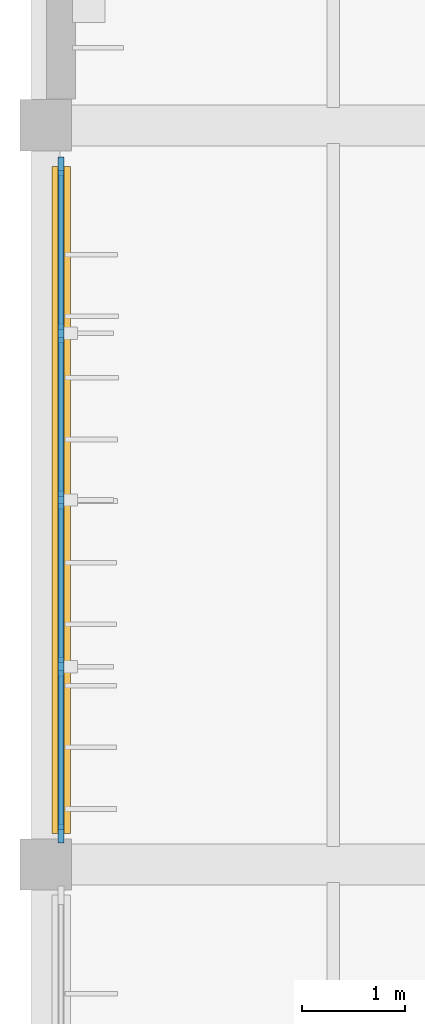
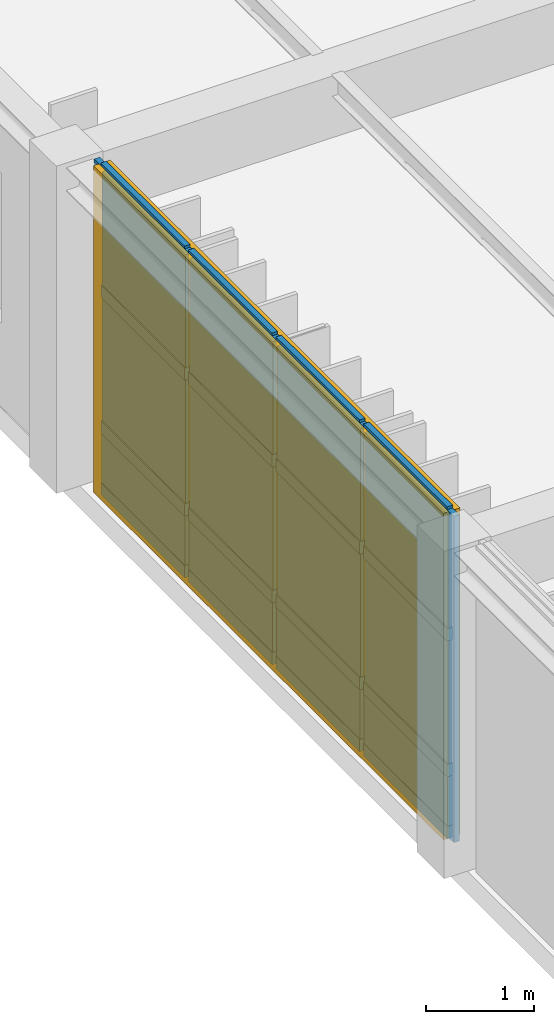
# One storey, part 30 of 44: 21 members, 12 plates, 1 curtain wall.
"""IFC4 building model written with IfcOpenShell, lengths in metres."""

from ifc_helpers import new_model, si_unit, direction, frame, frame_2d, origin, origin_2d, place, context, subcontext, project, spatial, rectangle, extrude, material, layer, layer_set, material_profile, profile_set, type_object, element, aggregate, save


model = new_model("IFC4")

# Units and contexts
model_context = context("Model", 3, precision=1e-05, world=origin(), true_north=direction((0.0, 1.0)))
body_context = subcontext(model_context, "Body", "Model", "MODEL_VIEW")
ifc_project = project(units=[si_unit("LENGTHUNIT", "METRE"), si_unit("AREAUNIT", "SQUARE_METRE"), si_unit("VOLUMEUNIT", "CUBIC_METRE"), si_unit("PLANEANGLEUNIT", "RADIAN"), si_unit("MASSUNIT", "GRAM", prefix="KILO")], contexts=[model_context])

# Member
ifc_material_1 = material(Name="Anodised Bronze Aluminium 6063-T6", Category="aluminium")
ifc_material_profile_1 = material_profile(ifc_material_1, rectangle(XDim=0.06005859375, YDim=0.179931640625, at=origin_2d()), Name="ALU MULLION 60x180")
ifc_profile_set_1 = profile_set([ifc_material_profile_1], Name="Anodised Bronze Aluminium 6063-T6")
member_type_1 = type_object("IfcMemberType", Name="Curtain-Wall Primary Mullion 60x180", PredefinedType="MULLION", material=ifc_profile_set_1)
site_placement = place(None, origin())
building_placement = place(site_placement, origin())
storey_placement = place(building_placement, frame((0.0, 0.0, 13.199951171875)))
member_1_placement = place(storey_placement, frame((2.550048828125, 59.300048828125, 0.0), z_axis=(0.0, 0.0, 1.0), x_axis=(1.0, 0.0, 0.0)))
member_1 = element("IfcMember", 1, at=member_1_placement, type_object=member_type_1, Name="Mullion CWM-01 CW-V6-W1-L03-B2-M01", PredefinedType="MULLION", context=body_context, shape_type="SweptSolid", body=[
    extrude(rectangle(XDim=0.06005859375, YDim=0.179931640625, at=origin_2d()), origin(), (0.0, 0.0, 1.0), 3.699951171875),
])

member_2_placement = place(storey_placement, frame((2.550048828125, 60.925048828125, 0.0), z_axis=(0.0, 0.0, 1.0), x_axis=(1.0, 0.0, 0.0)))
member_2 = element("IfcMember", 2, at=member_2_placement, type_object=member_type_1, Name="Mullion CWM-01 CW-V6-W1-L03-B2-M02", PredefinedType="MULLION", context=body_context, shape_type="SweptSolid", body=[
    extrude(rectangle(XDim=0.06005859375, YDim=0.179931640625, at=origin_2d()), origin(), (0.0, 0.0, 1.0), 3.699951171875),
])

member_3_placement = place(storey_placement, frame((2.550048828125, 62.550048828125, 0.0), z_axis=(0.0, 0.0, 1.0), x_axis=(1.0, 0.0, 0.0)))
member_3 = element("IfcMember", 3, at=member_3_placement, type_object=member_type_1, Name="Mullion CWM-01 CW-V6-W1-L03-B2-M03", PredefinedType="MULLION", context=body_context, shape_type="SweptSolid", body=[
    extrude(rectangle(XDim=0.06005859375, YDim=0.179931640625, at=origin_2d()), origin(), (0.0, 0.0, 1.0), 3.699951171875),
])

member_4_placement = place(storey_placement, frame((2.550048828125, 64.175048828125, 0.0), z_axis=(0.0, 0.0, 1.0), x_axis=(1.0, 0.0, 0.0)))
member_4 = element("IfcMember", 4, at=member_4_placement, type_object=member_type_1, Name="Mullion CWM-01 CW-V6-W1-L03-B2-M04", PredefinedType="MULLION", context=body_context, shape_type="SweptSolid", body=[
    extrude(rectangle(XDim=0.06005859375, YDim=0.179931640625, at=origin_2d()), origin(), (0.0, 0.0, 1.0), 3.699951171875),
])

member_5_placement = place(storey_placement, frame((2.550048828125, 65.800048828125, 0.0), z_axis=(0.0, 0.0, 1.0), x_axis=(1.0, 0.0, 0.0)))
member_5 = element("IfcMember", 5, at=member_5_placement, type_object=member_type_1, Name="Mullion CWM-01 CW-V6-W1-L03-B2-M05", PredefinedType="MULLION", context=body_context, shape_type="SweptSolid", body=[
    extrude(rectangle(XDim=0.06005859375, YDim=0.179931640625, at=origin_2d()), origin(), (0.0, 0.0, 1.0), 3.699951171875),
])

ifc_material_profile_2 = material_profile(ifc_material_1, rectangle(XDim=0.06005859375, YDim=0.139892578125, at=origin_2d()), Name="ALU TRANSOM 60x140")
ifc_profile_set_2 = profile_set([ifc_material_profile_2], Name="Anodised Bronze Aluminium 6063-T6")
member_type_2 = type_object("IfcMemberType", Name="Curtain-Wall Transom 60x140", PredefinedType="USERDEFINED", material=ifc_profile_set_2)
member_6_placement = place(storey_placement, frame((2.550048828125, 59.3349609375, 0.0400390625), z_axis=(0.0, 1.0, 0.0), x_axis=(-1.0, 0.0, 0.0)))
member_6 = element("IfcMember", 6, at=member_6_placement, type_object=member_type_2, Name="Transom CWT-01 CW-V6-W1-L03-B2-T01.1", ObjectType="TRANSOM", PredefinedType="USERDEFINED", context=body_context, shape_type="SweptSolid", body=[
    extrude(rectangle(XDim=0.06005859375, YDim=0.139892578125, at=origin_2d()), origin(), (0.0, 0.0, 1.0), 1.554931640625),
])

member_7_placement = place(storey_placement, frame((2.550048828125, 59.3349609375, 0.739990234375), z_axis=(0.0, 1.0, 0.0), x_axis=(-1.0, 0.0, 0.0)))
member_7 = element("IfcMember", 7, at=member_7_placement, type_object=member_type_2, Name="Transom CWT-01 CW-V6-W1-L03-B2-T01.2", ObjectType="TRANSOM", PredefinedType="USERDEFINED", context=body_context, shape_type="SweptSolid", body=[
    extrude(rectangle(XDim=0.06005859375, YDim=0.139892578125, at=origin_2d()), origin(), (0.0, 0.0, 1.0), 1.554931640625),
])

member_8_placement = place(storey_placement, frame((2.550048828125, 59.3349609375, 2.279296875), z_axis=(0.0, 1.0, 0.0), x_axis=(-1.0, 0.0, 0.0)))
member_8 = element("IfcMember", 8, at=member_8_placement, type_object=member_type_2, Name="Transom CWT-01 CW-V6-W1-L03-B2-T01.3", ObjectType="TRANSOM", PredefinedType="USERDEFINED", context=body_context, shape_type="SweptSolid", body=[
    extrude(rectangle(XDim=0.06005859375, YDim=0.139892578125, at=origin_2d()), origin(), (0.0, 0.0, 1.0), 1.554931640625),
])

member_9_placement = place(storey_placement, frame((2.550048828125, 59.3349609375, 3.66015625), z_axis=(0.0, 1.0, 0.0), x_axis=(-1.0, 0.0, 0.0)))
member_9 = element("IfcMember", 9, at=member_9_placement, type_object=member_type_2, Name="Transom CWT-01 CW-V6-W1-L03-B2-T01.4", ObjectType="TRANSOM", PredefinedType="USERDEFINED", context=body_context, shape_type="SweptSolid", body=[
    extrude(rectangle(XDim=0.06005859375, YDim=0.139892578125, at=origin_2d()), origin(), (0.0, 0.0, 1.0), 1.554931640625),
])

member_10_placement = place(storey_placement, frame((2.550048828125, 60.9599609375, 0.0400390625), z_axis=(0.0, 1.0, 0.0), x_axis=(-1.0, 0.0, 0.0)))
member_10 = element("IfcMember", 10, at=member_10_placement, type_object=member_type_2, Name="Transom CWT-01 CW-V6-W1-L03-B2-T02.1", ObjectType="TRANSOM", PredefinedType="USERDEFINED", context=body_context, shape_type="SweptSolid", body=[
    extrude(rectangle(XDim=0.06005859375, YDim=0.139892578125, at=origin_2d()), origin(), (0.0, 0.0, 1.0), 1.554931640625),
])

member_11_placement = place(storey_placement, frame((2.550048828125, 60.9599609375, 0.739990234375), z_axis=(0.0, 1.0, 0.0), x_axis=(-1.0, 0.0, 0.0)))
member_11 = element("IfcMember", 11, at=member_11_placement, type_object=member_type_2, Name="Transom CWT-01 CW-V6-W1-L03-B2-T02.2", ObjectType="TRANSOM", PredefinedType="USERDEFINED", context=body_context, shape_type="SweptSolid", body=[
    extrude(rectangle(XDim=0.06005859375, YDim=0.139892578125, at=origin_2d()), origin(), (0.0, 0.0, 1.0), 1.554931640625),
])

member_12_placement = place(storey_placement, frame((2.550048828125, 60.9599609375, 2.279296875), z_axis=(0.0, 1.0, 0.0), x_axis=(-1.0, 0.0, 0.0)))
member_12 = element("IfcMember", 12, at=member_12_placement, type_object=member_type_2, Name="Transom CWT-01 CW-V6-W1-L03-B2-T02.3", ObjectType="TRANSOM", PredefinedType="USERDEFINED", context=body_context, shape_type="SweptSolid", body=[
    extrude(rectangle(XDim=0.06005859375, YDim=0.139892578125, at=origin_2d()), origin(), (0.0, 0.0, 1.0), 1.554931640625),
])

member_13_placement = place(storey_placement, frame((2.550048828125, 60.9599609375, 3.66015625), z_axis=(0.0, 1.0, 0.0), x_axis=(-1.0, 0.0, 0.0)))
member_13 = element("IfcMember", 13, at=member_13_placement, type_object=member_type_2, Name="Transom CWT-01 CW-V6-W1-L03-B2-T02.4", ObjectType="TRANSOM", PredefinedType="USERDEFINED", context=body_context, shape_type="SweptSolid", body=[
    extrude(rectangle(XDim=0.06005859375, YDim=0.139892578125, at=origin_2d()), origin(), (0.0, 0.0, 1.0), 1.554931640625),
])

member_14_placement = place(storey_placement, frame((2.550048828125, 62.5849609375, 0.0400390625), z_axis=(0.0, 1.0, 0.0), x_axis=(-1.0, 0.0, 0.0)))
member_14 = element("IfcMember", 14, at=member_14_placement, type_object=member_type_2, Name="Transom CWT-01 CW-V6-W1-L03-B2-T03.1", ObjectType="TRANSOM", PredefinedType="USERDEFINED", context=body_context, shape_type="SweptSolid", body=[
    extrude(rectangle(XDim=0.06005859375, YDim=0.139892578125, at=origin_2d()), origin(), (0.0, 0.0, 1.0), 1.554931640625),
])

member_15_placement = place(storey_placement, frame((2.550048828125, 62.5849609375, 0.739990234375), z_axis=(0.0, 1.0, 0.0), x_axis=(-1.0, 0.0, 0.0)))
member_15 = element("IfcMember", 15, at=member_15_placement, type_object=member_type_2, Name="Transom CWT-01 CW-V6-W1-L03-B2-T03.2", ObjectType="TRANSOM", PredefinedType="USERDEFINED", context=body_context, shape_type="SweptSolid", body=[
    extrude(rectangle(XDim=0.06005859375, YDim=0.139892578125, at=origin_2d()), origin(), (0.0, 0.0, 1.0), 1.554931640625),
])

member_16_placement = place(storey_placement, frame((2.550048828125, 62.5849609375, 2.279296875), z_axis=(0.0, 1.0, 0.0), x_axis=(-1.0, 0.0, 0.0)))
member_16 = element("IfcMember", 16, at=member_16_placement, type_object=member_type_2, Name="Transom CWT-01 CW-V6-W1-L03-B2-T03.3", ObjectType="TRANSOM", PredefinedType="USERDEFINED", context=body_context, shape_type="SweptSolid", body=[
    extrude(rectangle(XDim=0.06005859375, YDim=0.139892578125, at=origin_2d()), origin(), (0.0, 0.0, 1.0), 1.554931640625),
])

member_17_placement = place(storey_placement, frame((2.550048828125, 62.5849609375, 3.66015625), z_axis=(0.0, 1.0, 0.0), x_axis=(-1.0, 0.0, 0.0)))
member_17 = element("IfcMember", 17, at=member_17_placement, type_object=member_type_2, Name="Transom CWT-01 CW-V6-W1-L03-B2-T03.4", ObjectType="TRANSOM", PredefinedType="USERDEFINED", context=body_context, shape_type="SweptSolid", body=[
    extrude(rectangle(XDim=0.06005859375, YDim=0.139892578125, at=origin_2d()), origin(), (0.0, 0.0, 1.0), 1.554931640625),
])

member_18_placement = place(storey_placement, frame((2.550048828125, 64.2099609375, 0.0400390625), z_axis=(0.0, 1.0, 0.0), x_axis=(-1.0, 0.0, 0.0)))
member_18 = element("IfcMember", 18, at=member_18_placement, type_object=member_type_2, Name="Transom CWT-01 CW-V6-W1-L03-B2-T04.1", ObjectType="TRANSOM", PredefinedType="USERDEFINED", context=body_context, shape_type="SweptSolid", body=[
    extrude(rectangle(XDim=0.06005859375, YDim=0.139892578125, at=origin_2d()), origin(), (0.0, 0.0, 1.0), 1.554931640625),
])

member_19_placement = place(storey_placement, frame((2.550048828125, 64.2099609375, 0.739990234375), z_axis=(0.0, 1.0, 0.0), x_axis=(-1.0, 0.0, 0.0)))
member_19 = element("IfcMember", 19, at=member_19_placement, type_object=member_type_2, Name="Transom CWT-01 CW-V6-W1-L03-B2-T04.2", ObjectType="TRANSOM", PredefinedType="USERDEFINED", context=body_context, shape_type="SweptSolid", body=[
    extrude(rectangle(XDim=0.06005859375, YDim=0.139892578125, at=origin_2d()), origin(), (0.0, 0.0, 1.0), 1.554931640625),
])

member_20_placement = place(storey_placement, frame((2.550048828125, 64.2099609375, 2.279296875), z_axis=(0.0, 1.0, 0.0), x_axis=(-1.0, 0.0, 0.0)))
member_20 = element("IfcMember", 20, at=member_20_placement, type_object=member_type_2, Name="Transom CWT-01 CW-V6-W1-L03-B2-T04.3", ObjectType="TRANSOM", PredefinedType="USERDEFINED", context=body_context, shape_type="SweptSolid", body=[
    extrude(rectangle(XDim=0.06005859375, YDim=0.139892578125, at=origin_2d()), origin(), (0.0, 0.0, 1.0), 1.554931640625),
])

member_21_placement = place(storey_placement, frame((2.550048828125, 64.2099609375, 3.66015625), z_axis=(0.0, 1.0, 0.0), x_axis=(-1.0, 0.0, 0.0)))
member_21 = element("IfcMember", 21, at=member_21_placement, type_object=member_type_2, Name="Transom CWT-01 CW-V6-W1-L03-B2-T04.4", ObjectType="TRANSOM", PredefinedType="USERDEFINED", context=body_context, shape_type="SweptSolid", body=[
    extrude(rectangle(XDim=0.06005859375, YDim=0.139892578125, at=origin_2d()), origin(), (0.0, 0.0, 1.0), 1.554931640625),
])

# Plate
ifc_material_2 = material(Name="Insulated Bronze Aluminium Spandrel Panel", Category="aluminium")
ifc_layer_1 = layer(ifc_material_2, 0.050048828125, Name="Insulated Bronze Aluminium Spandrel Panel")
ifc_layer_set_1 = layer_set([ifc_layer_1], Name="Insulated Bronze Aluminium Spandrel Panel")
plate_type_1 = type_object("IfcPlateType", Name="Insulated Anodised Aluminium Spandrel Cassette 50", PredefinedType="CURTAIN_PANEL", material=ifc_layer_set_1)
plate_1_placement = place(storey_placement, frame((2.550048828125, 60.112548828125, 0.0703125), z_axis=(0.0, 0.0, 1.0), x_axis=(0.0, 1.0, 0.0)))
plate_1 = element("IfcPlate", 22, at=plate_1_placement, type_object=plate_type_1, Name="Curtain Panel CWP-03 CW-V6-W1-L03-B2-P01.1", PredefinedType="CURTAIN_PANEL", context=body_context, shape_type="SweptSolid", body=[
    extrude(rectangle(XDim=1.554931640625, YDim=0.050048828125, at=origin_2d()), origin(), (0.0, 0.0, 1.0), 0.639892578125),
])

plate_2_placement = place(storey_placement, frame((2.550048828125, 61.737548828125, 0.0703125), z_axis=(0.0, 0.0, 1.0), x_axis=(0.0, 1.0, 0.0)))
plate_2 = element("IfcPlate", 23, at=plate_2_placement, type_object=plate_type_1, Name="Curtain Panel CWP-03 CW-V6-W1-L03-B2-P02.1", PredefinedType="CURTAIN_PANEL", context=body_context, shape_type="SweptSolid", body=[
    extrude(rectangle(XDim=1.554931640625, YDim=0.050048828125, at=origin_2d()), origin(), (0.0, 0.0, 1.0), 0.639892578125),
])

plate_3_placement = place(storey_placement, frame((2.550048828125, 63.362548828125, 0.0703125), z_axis=(0.0, 0.0, 1.0), x_axis=(0.0, 1.0, 0.0)))
plate_3 = element("IfcPlate", 24, at=plate_3_placement, type_object=plate_type_1, Name="Curtain Panel CWP-03 CW-V6-W1-L03-B2-P03.1", PredefinedType="CURTAIN_PANEL", context=body_context, shape_type="SweptSolid", body=[
    extrude(rectangle(XDim=1.554931640625, YDim=0.050048828125, at=origin_2d()), origin(), (0.0, 0.0, 1.0), 0.639892578125),
])

plate_4_placement = place(storey_placement, frame((2.550048828125, 64.987548828125, 0.0703125), z_axis=(0.0, 0.0, 1.0), x_axis=(0.0, 1.0, 0.0)))
plate_4 = element("IfcPlate", 25, at=plate_4_placement, type_object=plate_type_1, Name="Curtain Panel CWP-03 CW-V6-W1-L03-B2-P04.1", PredefinedType="CURTAIN_PANEL", context=body_context, shape_type="SweptSolid", body=[
    extrude(rectangle(XDim=1.554931640625, YDim=0.050048828125, at=origin_2d()), origin(), (0.0, 0.0, 1.0), 0.639892578125),
])

ifc_material_3 = material(Name="Solar-Control Tempered Double Glazing", Category="glass")
ifc_layer_2 = layer(ifc_material_3, 0.0380859375, Name="Solar-Control Tempered Double Glazing")
ifc_layer_set_2 = layer_set([ifc_layer_2], Name="Solar-Control Tempered Double Glazing")
plate_type_2 = type_object("IfcPlateType", Name="Solar-Control Vision Glazing Unit 38", PredefinedType="CURTAIN_PANEL", material=ifc_layer_set_2)
plate_5_placement = place(storey_placement, frame((2.550048828125, 60.112548828125, 0.77001953125), z_axis=(0.0, 0.0, 1.0), x_axis=(0.0, 1.0, 0.0)))
plate_5 = element("IfcPlate", 26, at=plate_5_placement, type_object=plate_type_2, Name="Curtain Panel CWP-02 CW-V6-W1-L03-B2-P01.2", PredefinedType="CURTAIN_PANEL", context=body_context, shape_type="SweptSolid", body=[
    extrude(rectangle(XDim=1.554931640625, YDim=0.0380859375, at=origin_2d()), origin(), (0.0, 0.0, 1.0), 1.479248046875),
])

plate_6_placement = place(storey_placement, frame((2.550048828125, 60.112548828125, 2.309326171875), z_axis=(0.0, 0.0, 1.0), x_axis=(0.0, 1.0, 0.0)))
plate_6 = element("IfcPlate", 27, at=plate_6_placement, type_object=plate_type_2, Name="Curtain Panel CWP-02 CW-V6-W1-L03-B2-P01.3", PredefinedType="CURTAIN_PANEL", context=body_context, shape_type="SweptSolid", body=[
    extrude(rectangle(XDim=1.554931640625, YDim=0.0380859375, at=origin_2d()), origin(), (0.0, 0.0, 1.0), 1.32080078125),
])

plate_7_placement = place(storey_placement, frame((2.550048828125, 61.737548828125, 0.77001953125), z_axis=(0.0, 0.0, 1.0), x_axis=(0.0, 1.0, 0.0)))
plate_7 = element("IfcPlate", 28, at=plate_7_placement, type_object=plate_type_2, Name="Curtain Panel CWP-02 CW-V6-W1-L03-B2-P02.2", PredefinedType="CURTAIN_PANEL", context=body_context, shape_type="SweptSolid", body=[
    extrude(rectangle(XDim=1.554931640625, YDim=0.0380859375, at=origin_2d()), origin(), (0.0, 0.0, 1.0), 1.479248046875),
])

plate_8_placement = place(storey_placement, frame((2.550048828125, 61.737548828125, 2.309326171875), z_axis=(0.0, 0.0, 1.0), x_axis=(0.0, 1.0, 0.0)))
plate_8 = element("IfcPlate", 29, at=plate_8_placement, type_object=plate_type_2, Name="Curtain Panel CWP-02 CW-V6-W1-L03-B2-P02.3", PredefinedType="CURTAIN_PANEL", context=body_context, shape_type="SweptSolid", body=[
    extrude(rectangle(XDim=1.554931640625, YDim=0.0380859375, at=origin_2d()), origin(), (0.0, 0.0, 1.0), 1.32080078125),
])

plate_9_placement = place(storey_placement, frame((2.550048828125, 63.362548828125, 0.77001953125), z_axis=(0.0, 0.0, 1.0), x_axis=(0.0, 1.0, 0.0)))
plate_9 = element("IfcPlate", 30, at=plate_9_placement, type_object=plate_type_2, Name="Curtain Panel CWP-02 CW-V6-W1-L03-B2-P03.2", PredefinedType="CURTAIN_PANEL", context=body_context, shape_type="SweptSolid", body=[
    extrude(rectangle(XDim=1.554931640625, YDim=0.0380859375, at=origin_2d()), origin(), (0.0, 0.0, 1.0), 1.479248046875),
])

plate_10_placement = place(storey_placement, frame((2.550048828125, 63.362548828125, 2.309326171875), z_axis=(0.0, 0.0, 1.0), x_axis=(0.0, 1.0, 0.0)))
plate_10 = element("IfcPlate", 31, at=plate_10_placement, type_object=plate_type_2, Name="Curtain Panel CWP-02 CW-V6-W1-L03-B2-P03.3", PredefinedType="CURTAIN_PANEL", context=body_context, shape_type="SweptSolid", body=[
    extrude(rectangle(XDim=1.554931640625, YDim=0.0380859375, at=origin_2d()), origin(), (0.0, 0.0, 1.0), 1.32080078125),
])

plate_11_placement = place(storey_placement, frame((2.550048828125, 64.987548828125, 0.77001953125), z_axis=(0.0, 0.0, 1.0), x_axis=(0.0, 1.0, 0.0)))
plate_11 = element("IfcPlate", 32, at=plate_11_placement, type_object=plate_type_2, Name="Curtain Panel CWP-02 CW-V6-W1-L03-B2-P04.2", PredefinedType="CURTAIN_PANEL", context=body_context, shape_type="SweptSolid", body=[
    extrude(rectangle(XDim=1.554931640625, YDim=0.0380859375, at=origin_2d()), origin(), (0.0, 0.0, 1.0), 1.479248046875),
])

plate_12_placement = place(storey_placement, frame((2.550048828125, 64.987548828125, 2.309326171875), z_axis=(0.0, 0.0, 1.0), x_axis=(0.0, 1.0, 0.0)))
plate_12 = element("IfcPlate", 33, at=plate_12_placement, type_object=plate_type_2, Name="Curtain Panel CWP-02 CW-V6-W1-L03-B2-P04.3", PredefinedType="CURTAIN_PANEL", context=body_context, shape_type="SweptSolid", body=[
    extrude(rectangle(XDim=1.554931640625, YDim=0.0380859375, at=origin_2d()), origin(), (0.0, 0.0, 1.0), 1.32080078125),
])

# Site, building, storey
site = spatial("IfcSite", under=ifc_project, at=site_placement, CompositionType="ELEMENT")
building = spatial("IfcBuilding", under=site, at=building_placement, Name="Tazoul Stagehouse", CompositionType="ELEMENT")
storey = spatial("IfcBuildingStorey", under=building, at=storey_placement, Name="L03", CompositionType="ELEMENT", Elevation=13.199951171875)

# Curtain wall
curtain_wall_type = type_object("IfcCurtainWallType", Name="Foyer Clear Solar-Control Curtain Wall", PredefinedType="NOTDEFINED", material=ifc_material_1)
curtain_wall_placement = place(storey_placement, frame((2.550048828125, 59.300048828125, 0.0), z_axis=(0.0, 0.0, 1.0), x_axis=(0.0, 1.0, 0.0)))
curtain_wall = element("IfcCurtainWall", 34, at=curtain_wall_placement, inside=storey, type_object=curtain_wall_type, Name="L03 Curtain Wall CW-02 (CW-V6-W1-L03-B2)", PredefinedType="NOTDEFINED", context=body_context, shape_type="SweptSolid", body=[
    extrude(rectangle(XDim=6.5, YDim=0.179931640625, at=frame_2d((3.25, 0.0))), origin(), (0.0, 0.0, 1.0), 3.699951171875),
])

aggregate(curtain_wall, [member_1, member_2, member_3, member_4, member_5, member_6, member_7, member_8, member_9, plate_1, plate_5, plate_6, member_10, member_11, member_12, member_13, plate_2, plate_7, plate_8, member_14, member_15, member_16, member_17, plate_3, plate_9, plate_10, member_18, member_19, member_20, member_21, plate_4, plate_11, plate_12])

save(model, "model.ifc")
